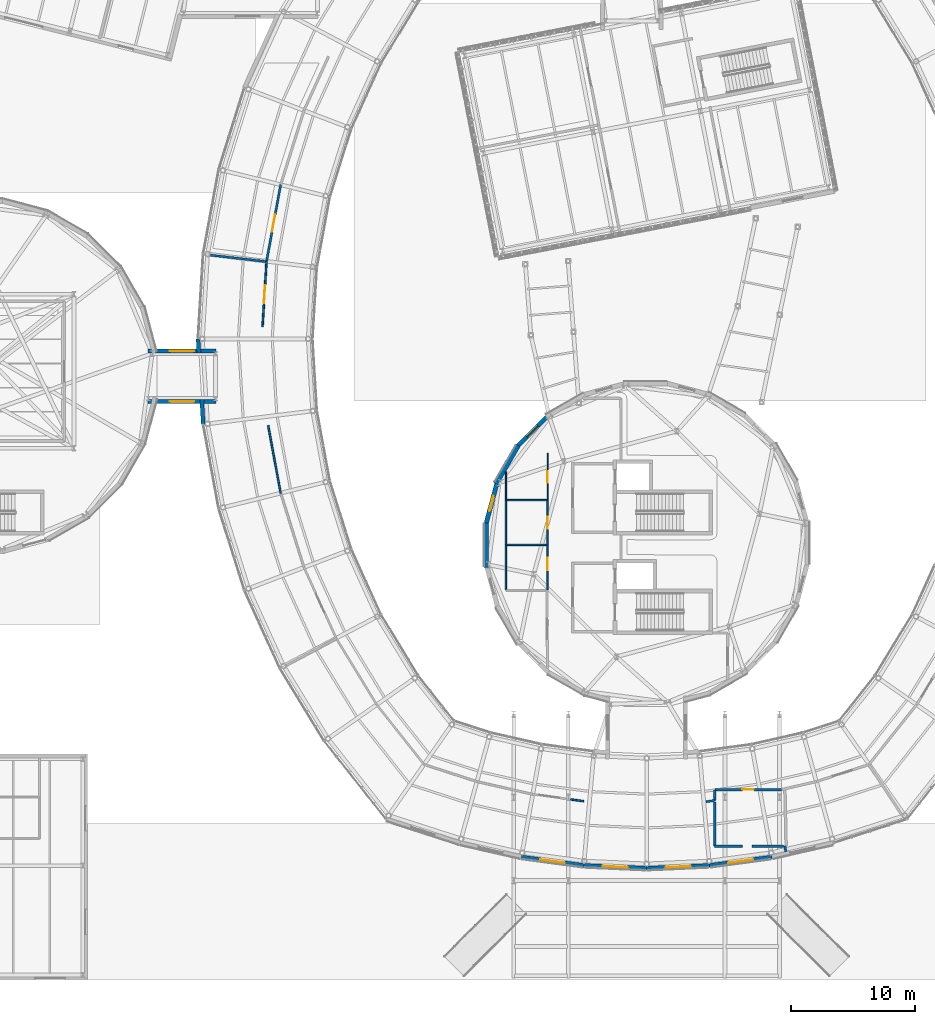
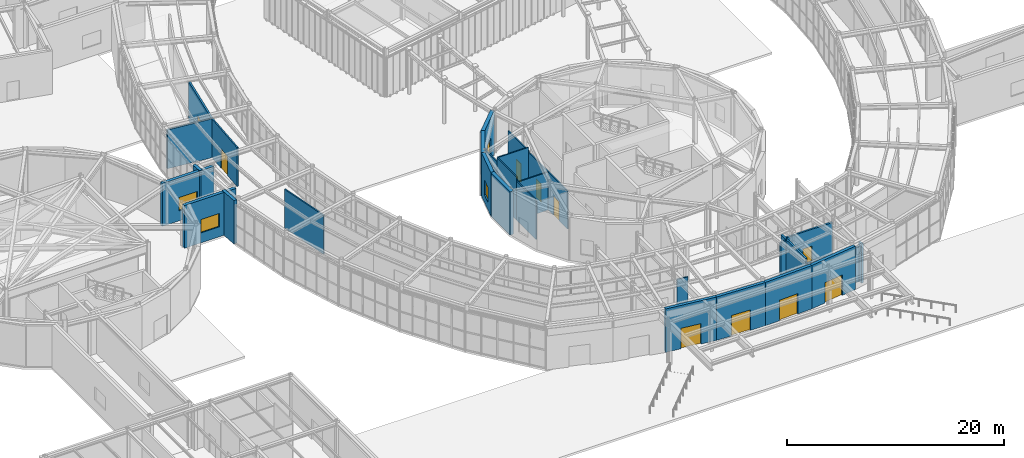
# One storey, part 71 of 97: 32 walls, 10 doors, 4 windows, 14 openings.
"""IFC4 building model written with IfcOpenShell, lengths in metres."""

import ifcopenshell
import ifcopenshell.guid

model = None  # the IFC model being written
_history = None  # IfcOwnerHistory: only IFC2X3 demands one
_inside = {}  # id of a spatial element -> (the spatial element, [elements in it])
_under = {}  # id of a project, library or spatial element -> (it, [spatial elements below it])
_declared = {}  # id of a project -> (the project, [libraries it declares])
_typed = {}  # id of a type object -> (the type object, [elements of that type])
_made_of = {}  # id of a material, layer set ... -> (it, [elements and type objects made of it])


def new_model(schema):
    """Start an empty IFC model of exactly this schema.

    Asked for "IFC4X3", IfcOpenShell would pick the latest addendum, in which some entities
    have other attributes; the version numbers below select the first issue.
    IFC2X3 requires an IfcOwnerHistory on every rooted entity: one is made here for all.
    """
    global model, _history
    if schema == "IFC4X3":
        model = ifcopenshell.file(schema_version=(4, 3, 0, 0))
    else:
        model = ifcopenshell.file(schema=schema)
    _inside.clear()
    _under.clear()
    _declared.clear()
    _typed.clear()
    _made_of.clear()
    _history = None
    if model.schema == "IFC2X3":
        org = make("IfcOrganization", Name="unknown")
        user = make(
            "IfcPersonAndOrganization",
            ThePerson=make("IfcPerson", FamilyName="unknown"),
            TheOrganization=org,
        )
        app = make(
            "IfcApplication",
            ApplicationDeveloper=org,
            Version="unknown",
            ApplicationFullName="unknown",
            ApplicationIdentifier="unknown",
        )
        _history = make(
            "IfcOwnerHistory",
            OwningUser=user,
            OwningApplication=app,
            ChangeAction="ADDED",
            CreationDate=0,
        )
    return model


def make(cls, **values):
    """One entity of the class cls with the attributes given. An attribute that is None is left unset."""
    return model.create_entity(
        cls, **{name: value for name, value in values.items() if value is not None}
    )


def rooted(cls, **values):
    """An entity with a GlobalId (a new one), such as an element, a storey or a relation."""
    return make(cls, GlobalId=ifcopenshell.guid.new(), OwnerHistory=_history, **values)


def si_unit(unit_type, name, prefix=None):
    """IfcSIUnit, for example si_unit("LENGTHUNIT", "METRE", prefix="MILLI")."""
    return make("IfcSIUnit", UnitType=unit_type, Prefix=prefix, Name=name)


def assignment(units):
    """IfcUnitAssignment: the units of a project."""
    return None if units is None else make("IfcUnitAssignment", Units=units)


def point(xyz):
    """IfcCartesianPoint."""
    return None if xyz is None else make("IfcCartesianPoint", Coordinates=xyz)


def direction(xyz):
    """IfcDirection."""
    return None if xyz is None else make("IfcDirection", DirectionRatios=xyz)


def frame(location, z_axis=None, x_axis=None):
    """IfcAxis2Placement3D, a coordinate frame: its origin and axes. An axis left out is left unset."""
    return make(
        "IfcAxis2Placement3D",
        Location=point(location),
        Axis=direction(z_axis),
        RefDirection=direction(x_axis),
    )


def frame_2d(location, x_axis=None):
    """IfcAxis2Placement2D, a coordinate frame in the plane: its origin and x axis."""
    return make(
        "IfcAxis2Placement2D", Location=point(location), RefDirection=direction(x_axis)
    )


def origin():
    """The frame at (0, 0, 0) with its axes left unset."""
    return frame((0.0, 0.0, 0.0))


def place(relative_to, where):
    """IfcLocalPlacement: puts the frame where relative to a parent placement (None: the world)."""
    return make(
        "IfcLocalPlacement", PlacementRelTo=relative_to, RelativePlacement=where
    )


def context(
    kind, dimensions, precision=None, world=None, true_north=None, identifier=None
):
    """IfcGeometricRepresentationContext, for example the 3D "Model" context."""
    return make(
        "IfcGeometricRepresentationContext",
        ContextIdentifier=identifier,
        ContextType=kind,
        CoordinateSpaceDimension=dimensions,
        Precision=precision,
        WorldCoordinateSystem=world,
        TrueNorth=true_north,
    )


def subcontext(parent, identifier, kind, view, scale=None):
    """IfcGeometricRepresentationSubContext, for example "Body" below "Model"."""
    return make(
        "IfcGeometricRepresentationSubContext",
        ContextIdentifier=identifier,
        ContextType=kind,
        ParentContext=parent,
        TargetScale=scale,
        TargetView=view,
    )


def project(units=None, contexts=None):
    """IfcProject with its units and contexts."""
    return rooted(
        "IfcProject",
        Name="project",
        RepresentationContexts=contexts,
        UnitsInContext=assignment(units),
    )


def spatial(cls, under=None, at=None, **own):
    """A site, building, storey or space (cls), placed at a placement, below another one or the project."""
    s = rooted(cls, ObjectPlacement=at, **own)
    if under is not None:
        _under.setdefault(under.id(), (under, []))[1].append(s)
    return s


def profile(cls, at=None, kind="AREA", **sizes):
    """A parametric profile (cls). Its sizes go by their IFC names, for example OverallWidth=200.0."""
    return make(cls, ProfileType=kind, Position=at, **sizes)


def rectangle(**sizes):
    """IfcRectangleProfileDef."""
    return profile("IfcRectangleProfileDef", **sizes)


def extrude(swept, where, along, depth):
    """IfcExtrudedAreaSolid: the profile swept, set in the frame where, extruded along a direction by depth."""
    return make(
        "IfcExtrudedAreaSolid",
        SweptArea=swept,
        Position=where,
        ExtrudedDirection=direction(along),
        Depth=depth,
    )


def shape(context_of_items, identifier, shape_type, items):
    """IfcShapeRepresentation: the items that make up one representation, for example the "Body"."""
    return make(
        "IfcShapeRepresentation",
        ContextOfItems=context_of_items,
        RepresentationIdentifier=identifier,
        RepresentationType=shape_type,
        Items=items,
    )


def material(Name=None, Category=None):
    """IfcMaterial."""
    return make("IfcMaterial", Name=Name, Category=Category)


def layer(
    of_material, thickness, ventilated=None, Name=None, Category=None, Priority=None
):
    """IfcMaterialLayer: one layer of a wall or slab, of a material (None: an air gap)."""
    return make(
        "IfcMaterialLayer",
        Material=of_material,
        LayerThickness=thickness,
        IsVentilated=ventilated,
        Name=Name,
        Category=Category,
        Priority=Priority,
    )


def layer_set(layers, Name=None):
    """IfcMaterialLayerSet."""
    return make("IfcMaterialLayerSet", MaterialLayers=layers, LayerSetName=Name)


def made_of(thing, what):
    """Note that an element or type object is made of a material, layer set ...; save() writes the relation."""
    if what is not None:
        _made_of.setdefault(what.id(), (what, []))[1].append(thing)
    return thing


def type_object(cls, material=None, **own):
    """A type object (cls), such as IfcWallType, which elements share."""
    return made_of(rooted(cls, **own), material)


def element(
    cls,
    number,
    at=None,
    inside=None,
    cuts=None,
    type_object=None,
    material=None,
    context=None,
    identifier="Body",
    shape_type=None,
    held_by="IfcProductDefinitionShape",
    body=None,
    shapes=None,
    **own,
):
    """One element of the class cls, such as IfcWall. Its Tag is "e" and its number.

    at: its placement. inside: the storey or other place that contains it. cuts: it is an
    opening in that element (IfcRelVoidsElement). A single representation is given by context,
    identifier, shape_type and body (its items); several are given by shapes. held_by: the class
    of the entity that holds the representations. save() writes the other relations.
    """
    e = rooted(cls, Tag="e%d" % number, ObjectPlacement=at, **own)
    if body is not None:
        shapes = [shape(context, identifier, shape_type, body)]
    if shapes is not None:
        e.Representation = make(held_by, Representations=shapes)
    if inside is not None:
        _inside.setdefault(inside.id(), (inside, []))[1].append(e)
    if cuts is not None:
        rooted(
            "IfcRelVoidsElement", RelatingBuildingElement=cuts, RelatedOpeningElement=e
        )
    if type_object is not None:
        _typed.setdefault(type_object.id(), (type_object, []))[1].append(e)
    return made_of(e, material)


def fill(opening, filler):
    """IfcRelFillsElement: the door or window that sits in an opening."""
    return rooted(
        "IfcRelFillsElement",
        RelatingOpeningElement=opening,
        RelatedBuildingElement=filler,
    )


def aggregate(whole, parts):
    """IfcRelAggregates: a whole, such as a stair, and the parts it consists of."""
    return rooted("IfcRelAggregates", RelatingObject=whole, RelatedObjects=parts)


def save(model, path):
    """Write the relations noted so far, then the file.

    IfcRelAggregates (storeys below a building ...), IfcRelContainedInSpatialStructure (elements
    in a storey), IfcRelDefinesByType, IfcRelAssociatesMaterial and IfcRelDeclares: one each for
    every whole, place, type object, material and project.
    """
    for whole, parts in _under.values():
        aggregate(whole, parts)
    for where, things in _inside.values():
        rooted(
            "IfcRelContainedInSpatialStructure",
            RelatedElements=things,
            RelatingStructure=where,
        )
    for kind, things in _typed.values():
        rooted("IfcRelDefinesByType", RelatedObjects=things, RelatingType=kind)
    for what, things in _made_of.values():
        rooted("IfcRelAssociatesMaterial", RelatedObjects=things, RelatingMaterial=what)
    for by, libraries in _declared.values():
        rooted("IfcRelDeclares", RelatingContext=by, RelatedDefinitions=libraries)
    model.write(path)


model = new_model("IFC4")

# Units and contexts
model_context = context("Model", 3, precision=1e-05, world=origin(), true_north=direction((0.0, 1.0)))
body_context = subcontext(model_context, "Body", "Model", "MODEL_VIEW")
ifc_project = project(units=[si_unit("LENGTHUNIT", "METRE"), si_unit("AREAUNIT", "SQUARE_METRE"), si_unit("VOLUMEUNIT", "CUBIC_METRE"), si_unit("PLANEANGLEUNIT", "RADIAN"), si_unit("MASSUNIT", "GRAM", prefix="KILO")], contexts=[model_context])

# Site, building, storey
site_placement = place(None, origin())
site = spatial("IfcSite", under=ifc_project, at=site_placement, CompositionType="ELEMENT")
building_placement = place(site_placement, origin())
building = spatial("IfcBuilding", under=site, at=building_placement, Name="Varnklinge Art Gallery", CompositionType="ELEMENT")
storey_placement = place(building_placement, origin())
storey = spatial("IfcBuildingStorey", under=building, at=storey_placement, Name="L00", CompositionType="ELEMENT", Elevation=0.0)

# Walls
ifc_material_1 = material(Name="Precast concrete C40/50", Category="concrete")
ifc_layer_1 = layer(ifc_material_1, 0.320068359375)
ifc_layer_set_1 = layer_set([ifc_layer_1], Name="Precast concrete C40/50")
wall_type_1 = type_object("IfcWallType", Name="EW-32", PredefinedType="SOLIDWALL", material=ifc_layer_set_1)
wall_1_placement = place(storey_placement, frame((39.459716796875, 53.8798828125, 0.0), z_axis=(0.0, 0.0, 1.0), x_axis=(-0.060698683883, 0.998156134968, 0.0)))
element("IfcWall", 1, at=wall_1_placement, inside=storey, type_object=wall_type_1, Name="EW-V2O-L00-K26-1", PredefinedType="SOLIDWALL", context=body_context, shape_type="SweptSolid", body=[
    extrude(rectangle(XDim=1.1220703125, YDim=0.320068359375, at=frame_2d((0.56103515625, 0.0))), origin(), (0.0, 0.0, 1.0), 4.8798828125),
])
wall_2_placement = place(storey_placement, frame((39.810546875, 48.1240234375, 0.0), z_axis=(0.0, 0.0, 1.0), x_axis=(-0.060797305058, 0.998150132845, 0.0)))
element("IfcWall", 2, at=wall_2_placement, inside=storey, type_object=wall_type_1, Name="EW-V2O-L00-K26-2", PredefinedType="SOLIDWALL", context=body_context, shape_type="SweptSolid", body=[
    extrude(rectangle(XDim=1.999755859375, YDim=0.320068359375, at=frame_2d((1.0, 0.0))), origin(), (0.0, 0.0, 1.0), 4.8798828125),
])

# Wall, opening, door
wall_3_placement = place(storey_placement, frame((70.4384765625, 12.6220703125, 0.0), z_axis=(0.0, 0.0, 1.0), x_axis=(-0.990993640205, 0.133908943214, 0.0)))
wall_3 = element("IfcWall", 3, at=wall_3_placement, inside=storey, type_object=wall_type_1, Name="L00 Grand Foyer Entrance Portal Wall 34", PredefinedType="SOLIDWALL", context=body_context, shape_type="SweptSolid", body=[
    extrude(rectangle(XDim=5.066650390625, YDim=0.320068359375, at=frame_2d((2.533203125, 0.0))), origin(), (0.0, 0.0, 1.0), 4.8798828125),
])
opening_1_placement = place(wall_3_placement, frame((1.533203125, 0.0, 0.0)))
opening_1 = element("IfcOpeningElement", 4, at=opening_1_placement, cuts=wall_3, Name="Opening D-L00-E09", PredefinedType="OPENING", context=body_context, shape_type="SweptSolid", body=[
    extrude(rectangle(XDim=2.0, YDim=2.300048828125, at=frame_2d((1.0, 1.14990234375))), frame((0.0, 0.170166015625, 0.0), z_axis=(0.0, -1.0, 0.0), x_axis=(1.0, 0.0, 0.0)), (0.0, 0.0, 1.0), 0.340087890625),
])
ifc_material_2 = material(Name="Anodised Aluminium", Category="aluminium")
door_type_1 = type_object("IfcDoorType", Name="ED-01", OperationType="DOUBLE_DOOR_SINGLE_SWING", PredefinedType="DOOR", material=ifc_material_2)
door_1_placement = place(opening_1_placement, origin())
door_1 = element("IfcDoor", 5, at=door_1_placement, inside=storey, type_object=door_type_1, Name="L00 Grand Foyer Main Entrance Door D-L00-E09", OperationType="DOUBLE_DOOR_SINGLE_SWING", OverallHeight=2.300048828125, OverallWidth=2.0, PredefinedType="DOOR", context=body_context, shape_type="SweptSolid", body=[
    extrude(rectangle(XDim=2.0, YDim=2.300048828125, at=frame_2d((1.0, 1.14990234375))), frame((0.0, 0.02490234375, 0.0), z_axis=(0.0, -1.0, 0.0), x_axis=(1.0, 0.0, 0.0)), (0.0, 0.0, 1.0), 0.050048828125),
])
fill(opening_1, door_1)

wall_4_placement = place(storey_placement, frame((75.5, 12.3955078125, 0.0), z_axis=(0.0, 0.0, 1.0), x_axis=(-0.998999697079, 0.044716945731, 0.0)))
wall_4 = element("IfcWall", 6, at=wall_4_placement, inside=storey, type_object=wall_type_1, Name="L00 Grand Foyer Entrance Portal Wall 35", PredefinedType="SOLIDWALL", context=body_context, shape_type="SweptSolid", body=[
    extrude(rectangle(XDim=5.066650390625, YDim=0.320068359375, at=frame_2d((2.533203125, 0.0))), origin(), (0.0, 0.0, 1.0), 4.8798828125),
])
opening_2_placement = place(wall_4_placement, frame((1.533203125, 0.0, 0.0)))
opening_2 = element("IfcOpeningElement", 7, at=opening_2_placement, cuts=wall_4, Name="Opening D-L00-E10", PredefinedType="OPENING", context=body_context, shape_type="SweptSolid", body=[
    extrude(rectangle(XDim=2.0, YDim=2.300048828125, at=frame_2d((1.0, 1.14990234375))), frame((0.0, 0.170166015625, 0.0), z_axis=(0.0, -1.0, 0.0), x_axis=(1.0, 0.0, 0.0)), (0.0, 0.0, 1.0), 0.340087890625),
])
door_2_placement = place(opening_2_placement, origin())
door_2 = element("IfcDoor", 8, at=door_2_placement, inside=storey, type_object=door_type_1, Name="L00 Grand Foyer Main Entrance Door D-L00-E10", OperationType="DOUBLE_DOOR_SINGLE_SWING", OverallHeight=2.300048828125, OverallWidth=2.0, PredefinedType="DOOR", context=body_context, shape_type="SweptSolid", body=[
    extrude(rectangle(XDim=2.0, YDim=2.300048828125, at=frame_2d((1.0, 1.14990234375))), frame((0.0, 0.02490234375, 0.0), z_axis=(0.0, -1.0, 0.0), x_axis=(1.0, 0.0, 0.0)), (0.0, 0.0, 1.0), 0.050048828125),
])
fill(opening_2, door_2)

wall_5_placement = place(storey_placement, frame((80.5615234375, 12.6220703125, 0.0), z_axis=(0.0, 0.0, 1.0), x_axis=(-0.998999697079, -0.044716945731, 0.0)))
wall_5 = element("IfcWall", 9, at=wall_5_placement, inside=storey, type_object=wall_type_1, Name="L00 Grand Foyer Entrance Portal Wall 36", PredefinedType="SOLIDWALL", context=body_context, shape_type="SweptSolid", body=[
    extrude(rectangle(XDim=5.066650390625, YDim=0.320068359375, at=frame_2d((2.533203125, 0.0))), origin(), (0.0, 0.0, 1.0), 4.8798828125),
])
opening_3_placement = place(wall_5_placement, frame((1.533203125, 0.0, 0.0)))
opening_3 = element("IfcOpeningElement", 10, at=opening_3_placement, cuts=wall_5, Name="Opening D-L00-E11", PredefinedType="OPENING", context=body_context, shape_type="SweptSolid", body=[
    extrude(rectangle(XDim=2.0, YDim=2.300048828125, at=frame_2d((1.0, 1.14990234375))), frame((0.0, 0.170166015625, 0.0), z_axis=(0.0, -1.0, 0.0), x_axis=(1.0, 0.0, 0.0)), (0.0, 0.0, 1.0), 0.340087890625),
])
door_3_placement = place(opening_3_placement, origin())
door_3 = element("IfcDoor", 11, at=door_3_placement, inside=storey, type_object=door_type_1, Name="L00 Grand Foyer Main Entrance Door D-L00-E11", OperationType="DOUBLE_DOOR_SINGLE_SWING", OverallHeight=2.300048828125, OverallWidth=2.0, PredefinedType="DOOR", context=body_context, shape_type="SweptSolid", body=[
    extrude(rectangle(XDim=2.0, YDim=2.300048828125, at=frame_2d((1.0, 1.14990234375))), frame((0.0, 0.02490234375, 0.0), z_axis=(0.0, -1.0, 0.0), x_axis=(1.0, 0.0, 0.0)), (0.0, 0.0, 1.0), 0.050048828125),
])
fill(opening_3, door_3)

wall_6_placement = place(storey_placement, frame((85.58251953125, 13.300537109375, 0.0), z_axis=(0.0, 0.0, 1.0), x_axis=(-0.990993640205, -0.133908943214, 0.0)))
wall_6 = element("IfcWall", 12, at=wall_6_placement, inside=storey, type_object=wall_type_1, Name="L00 Grand Foyer Entrance Portal Wall 37", PredefinedType="SOLIDWALL", context=body_context, shape_type="SweptSolid", body=[
    extrude(rectangle(XDim=5.066650390625, YDim=0.320068359375, at=frame_2d((2.533203125, 0.0))), origin(), (0.0, 0.0, 1.0), 4.8798828125),
])
opening_4_placement = place(wall_6_placement, frame((1.533203125, 0.0, 0.0)))
opening_4 = element("IfcOpeningElement", 13, at=opening_4_placement, cuts=wall_6, Name="Opening D-L00-E12", PredefinedType="OPENING", context=body_context, shape_type="SweptSolid", body=[
    extrude(rectangle(XDim=2.0, YDim=2.300048828125, at=frame_2d((1.0, 1.14990234375))), frame((0.0, 0.170166015625, 0.0), z_axis=(0.0, -1.0, 0.0), x_axis=(1.0, 0.0, 0.0)), (0.0, 0.0, 1.0), 0.340087890625),
])
door_4_placement = place(opening_4_placement, origin())
door_4 = element("IfcDoor", 14, at=door_4_placement, inside=storey, type_object=door_type_1, Name="L00 Grand Foyer Main Entrance Door D-L00-E12", OperationType="DOUBLE_DOOR_SINGLE_SWING", OverallHeight=2.300048828125, OverallWidth=2.0, PredefinedType="DOOR", context=body_context, shape_type="SweptSolid", body=[
    extrude(rectangle(XDim=2.0, YDim=2.300048828125, at=frame_2d((1.0, 1.14990234375))), frame((0.0, 0.02490234375, 0.0), z_axis=(0.0, -1.0, 0.0), x_axis=(1.0, 0.0, 0.0)), (0.0, 0.0, 1.0), 0.050048828125),
])
fill(opening_4, door_4)

# Wall, opening, window
wall_7_placement = place(storey_placement, frame((40.85009765625, 49.9599609375, 0.0), z_axis=(0.0, 0.0, 1.0), x_axis=(-1.0, 0.0, 0.0)))
wall_7 = element("IfcWall", 15, at=wall_7_placement, inside=storey, type_object=wall_type_1, Name="L00 Gallery Link Wall EW-LNK-V3-L00-S", PredefinedType="SOLIDWALL", context=body_context, shape_type="SweptSolid", body=[
    extrude(rectangle(XDim=5.5, YDim=0.320068359375, at=frame_2d((2.75, 0.0))), origin(), (0.0, 0.0, 1.0), 4.820068359375),
])
opening_5_placement = place(wall_7_placement, frame((1.77490234375, 0.0, 1.1201171875)))
opening_5 = element("IfcOpeningElement", 16, at=opening_5_placement, cuts=wall_7, Name="Opening WN-05", PredefinedType="OPENING", context=body_context, shape_type="SweptSolid", body=[
    extrude(rectangle(XDim=1.949951171875, YDim=1.5, at=frame_2d((0.97509765625, 0.75))), frame((0.0, 0.170166015625, 0.0), z_axis=(0.0, -1.0, 0.0), x_axis=(1.0, 0.0, 0.0)), (0.0, 0.0, 1.0), 0.340087890625),
])
ifc_material_3 = material(Name="Insulated Low-E Triple Glazing", Category="glass")
window_type_1 = type_object("IfcWindowType", Name="WN-05", PartitioningType="SINGLE_PANEL", PredefinedType="WINDOW", material=ifc_material_3)
window_1_placement = place(opening_5_placement, origin())
window_1 = element("IfcWindow", 17, at=window_1_placement, inside=storey, type_object=window_type_1, Name="L00 Window WIN-L00-214", OverallHeight=1.5, OverallWidth=1.949951171875, PartitioningType="SINGLE_PANEL", PredefinedType="WINDOW", context=body_context, shape_type="SweptSolid", body=[
    extrude(rectangle(XDim=1.949951171875, YDim=1.5, at=frame_2d((0.97509765625, 0.75))), frame((0.0, 0.030029296875, 0.0), z_axis=(0.0, -1.0, 0.0), x_axis=(1.0, 0.0, 0.0)), (0.0, 0.0, 1.0), 0.06005859375),
])
fill(opening_5, window_1)

wall_8_placement = place(storey_placement, frame((35.35009765625, 54.0400390625, 0.0), z_axis=(0.0, 0.0, 1.0), x_axis=(1.0, 0.0, 0.0)))
wall_8 = element("IfcWall", 18, at=wall_8_placement, inside=storey, type_object=wall_type_1, Name="L00 Gallery Link Wall EW-LNK-V3-L00-N", PredefinedType="SOLIDWALL", context=body_context, shape_type="SweptSolid", body=[
    extrude(rectangle(XDim=5.5, YDim=0.320068359375, at=frame_2d((2.75, 0.0))), origin(), (0.0, 0.0, 1.0), 4.820068359375),
])
opening_6_placement = place(wall_8_placement, frame((1.77490234375, 0.0, 1.1201171875)))
opening_6 = element("IfcOpeningElement", 19, at=opening_6_placement, cuts=wall_8, Name="Opening WN-05", PredefinedType="OPENING", context=body_context, shape_type="SweptSolid", body=[
    extrude(rectangle(XDim=1.949951171875, YDim=1.5, at=frame_2d((0.97509765625, 0.75))), frame((0.0, 0.170166015625, 0.0), z_axis=(0.0, -1.0, 0.0), x_axis=(1.0, 0.0, 0.0)), (0.0, 0.0, 1.0), 0.340087890625),
])
window_2_placement = place(opening_6_placement, origin())
window_2 = element("IfcWindow", 20, at=window_2_placement, inside=storey, type_object=window_type_1, Name="L00 Window WIN-L00-215", OverallHeight=1.5, OverallWidth=1.949951171875, PartitioningType="SINGLE_PANEL", PredefinedType="WINDOW", context=body_context, shape_type="SweptSolid", body=[
    extrude(rectangle(XDim=1.949951171875, YDim=1.5, at=frame_2d((0.97509765625, 0.75))), frame((0.0, 0.030029296875, 0.0), z_axis=(0.0, -1.0, 0.0), x_axis=(1.0, 0.0, 0.0)), (0.0, 0.0, 1.0), 0.06005859375),
])
fill(opening_6, window_2)

# Wall
ifc_material_4 = material(Name="Concrete C40/50", Category="concrete")
ifc_layer_2 = layer(ifc_material_4, 0.360107421875)
ifc_layer_set_2 = layer_set([ifc_layer_2], Name="Concrete C40/50")
wall_type_2 = type_object("IfcWallType", Name="EW-36", PredefinedType="SOLIDWALL", material=ifc_layer_set_2)
wall_9_placement = place(storey_placement, frame((62.593017578125, 36.620849609375, 0.0), z_axis=(0.0, 0.0, 1.0), x_axis=(0.0, 1.0, 0.0)))
element("IfcWall", 21, at=wall_9_placement, inside=storey, type_object=wall_type_2, Name="L00 Exterior Wall EW-V4D-L00-12", PredefinedType="SOLIDWALL", context=body_context, shape_type="SweptSolid", body=[
    extrude(rectangle(XDim=3.578369140625, YDim=0.360107421875, at=frame_2d((1.7890625, 0.0))), origin(), (0.0, 0.0, 1.0), 4.8798828125),
])

# Wall, opening, window
wall_10_placement = place(storey_placement, frame((62.54638671875, 40.025390625, 0.0), z_axis=(0.0, 0.0, 1.0), x_axis=(0.258779281586, 0.965936480014, 0.0)))
wall_10 = element("IfcWall", 22, at=wall_10_placement, inside=storey, type_object=wall_type_2, Name="L00 Exterior Wall EW-V4D-L00-13", PredefinedType="SOLIDWALL", context=body_context, shape_type="SweptSolid", body=[
    extrude(rectangle(XDim=3.578369140625, YDim=0.360107421875, at=frame_2d((1.7890625, 0.0))), origin(), (0.0, 0.0, 1.0), 4.8798828125),
])
opening_7_placement = place(wall_10_placement, frame((1.164306640625, 0.0, 0.85009765625)))
opening_7 = element("IfcOpeningElement", 23, at=opening_7_placement, cuts=wall_10, Name="Opening WN-09", PredefinedType="OPENING", context=body_context, shape_type="SweptSolid", body=[
    extrude(rectangle(XDim=1.25, YDim=1.699951171875, at=frame_2d((0.625, 0.85009765625))), frame((0.0, 0.190185546875, 0.0), z_axis=(0.0, -1.0, 0.0), x_axis=(1.0, 0.0, 0.0)), (0.0, 0.0, 1.0), 0.380126953125),
])
ifc_material_5 = material(Name="Insulated Low-E Triple Glazing", Category="glass")
window_type_2 = type_object("IfcWindowType", Name="WN-09", PartitioningType="SINGLE_PANEL", PredefinedType="WINDOW", material=ifc_material_5)
window_3_placement = place(opening_7_placement, origin())
window_3 = element("IfcWindow", 24, at=window_3_placement, inside=storey, type_object=window_type_2, Name="L00 Window WIN-L00-070", OverallHeight=1.699951171875, OverallWidth=1.25, PartitioningType="SINGLE_PANEL", PredefinedType="WINDOW", context=body_context, shape_type="SweptSolid", body=[
    extrude(rectangle(XDim=1.25, YDim=1.699951171875, at=frame_2d((0.625, 0.85009765625))), frame((0.0, 0.030029296875, 0.0), z_axis=(0.0, -1.0, 0.0), x_axis=(1.0, 0.0, 0.0)), (0.0, 0.0, 1.0), 0.06005859375),
])
fill(opening_7, window_3)

# Wall
wall_11_placement = place(storey_placement, frame((63.382568359375, 43.325927734375, 0.0), z_axis=(0.0, 0.0, 1.0), x_axis=(0.499925210571, 0.866068579176, 0.0)))
element("IfcWall", 25, at=wall_11_placement, inside=storey, type_object=wall_type_2, Name="L00 Exterior Wall EW-V4D-L00-14", PredefinedType="SOLIDWALL", context=body_context, shape_type="SweptSolid", body=[
    extrude(rectangle(XDim=3.57861328125, YDim=0.360107421875, at=frame_2d((1.789306640625, 0.0))), origin(), (0.0, 0.0, 1.0), 4.8798828125),
])

# Wall, opening, window
wall_12_placement = place(storey_placement, frame((65.04443359375, 46.2978515625, 0.0), z_axis=(0.0, 0.0, 1.0), x_axis=(0.707072668406, 0.707140892322, 0.0)))
wall_12 = element("IfcWall", 26, at=wall_12_placement, inside=storey, type_object=wall_type_2, Name="L00 Exterior Wall EW-V4D-L00-15", PredefinedType="SOLIDWALL", context=body_context, shape_type="SweptSolid", body=[
    extrude(rectangle(XDim=3.57861328125, YDim=0.360107421875, at=frame_2d((1.789306640625, 0.0))), origin(), (0.0, 0.0, 1.0), 4.8798828125),
])
opening_8_placement = place(wall_12_placement, frame((1.164306640625, 0.0, 0.85009765625)))
opening_8 = element("IfcOpeningElement", 27, at=opening_8_placement, cuts=wall_12, Name="Opening WN-09", PredefinedType="OPENING", context=body_context, shape_type="SweptSolid", body=[
    extrude(rectangle(XDim=1.25, YDim=1.699951171875, at=frame_2d((0.625, 0.85009765625))), frame((0.0, 0.190185546875, 0.0), z_axis=(0.0, -1.0, 0.0), x_axis=(1.0, 0.0, 0.0)), (0.0, 0.0, 1.0), 0.380126953125),
])
window_4_placement = place(opening_8_placement, origin())
window_4 = element("IfcWindow", 28, at=window_4_placement, inside=storey, type_object=window_type_2, Name="L00 Window WIN-L00-071", OverallHeight=1.699951171875, OverallWidth=1.25, PartitioningType="SINGLE_PANEL", PredefinedType="WINDOW", context=body_context, shape_type="SweptSolid", body=[
    extrude(rectangle(XDim=1.25, YDim=1.699951171875, at=frame_2d((0.625, 0.85009765625))), frame((0.0, 0.030029296875, 0.0), z_axis=(0.0, -1.0, 0.0), x_axis=(1.0, 0.0, 0.0)), (0.0, 0.0, 1.0), 0.06005859375),
])
fill(opening_8, window_4)

# Wall, opening, door
ifc_material_6 = material(Name="Gypsum Board Partition", Category="gypsum")
ifc_layer_3 = layer(ifc_material_6, 0.10009765625)
ifc_layer_set_3 = layer_set([ifc_layer_3], Name="Gypsum Board Partition")
wall_type_3 = type_object("IfcWallType", Name="IW-10", PredefinedType="PARTITIONING", material=ifc_layer_set_3)
wall_13_placement = place(storey_placement, frame((67.530029296875, 45.800048828125, 0.0), z_axis=(0.0, 0.0, 1.0), x_axis=(0.0, -1.0, 0.0)))
wall_13 = element("IfcWall", 29, at=wall_13_placement, inside=storey, type_object=wall_type_3, Name="L00 Partition Wall IW-L00-0098", PredefinedType="PARTITIONING", context=body_context, shape_type="SweptSolid", body=[
    extrude(rectangle(XDim=3.800048828125, YDim=0.10009765625, at=frame_2d((1.89990234375, 0.0))), origin(), (0.0, 0.0, 1.0), 4.419921875),
])
opening_9_placement = place(wall_13_placement, frame((1.43994140625, 0.0, 0.0)))
opening_9 = element("IfcOpeningElement", 30, at=opening_9_placement, cuts=wall_13, Name="Opening D-L00-158", PredefinedType="OPENING", context=body_context, shape_type="SweptSolid", body=[
    extrude(rectangle(XDim=0.919921875, YDim=2.080078125, at=frame_2d((0.4599609375, 1.0400390625))), frame((0.0, 0.06005859375, 0.0), z_axis=(0.0, -1.0, 0.0), x_axis=(1.0, 0.0, 0.0)), (0.0, 0.0, 1.0), 0.1201171875),
])
ifc_material_7 = material(Name="Oak Timber Leaf", Category="wood")
door_type_2 = type_object("IfcDoorType", Name="ID-01", OperationType="SINGLE_SWING_LEFT", PredefinedType="DOOR", material=ifc_material_7)
door_5_placement = place(opening_9_placement, origin())
door_5 = element("IfcDoor", 31, at=door_5_placement, inside=storey, type_object=door_type_2, Name="L00 L00 Curatorial Conservation Closet Door D-L00-158", OperationType="SINGLE_SWING_RIGHT", OverallHeight=2.080078125, OverallWidth=0.919921875, PredefinedType="DOOR", context=body_context, shape_type="SweptSolid", body=[
    extrude(rectangle(XDim=0.919921875, YDim=2.080078125, at=frame_2d((0.4599609375, 1.0400390625))), frame((0.0, 0.02490234375, 0.0), z_axis=(0.0, -1.0, 0.0), x_axis=(1.0, 0.0, 0.0)), (0.0, 0.0, 1.0), 0.050048828125),
])
fill(opening_9, door_5)

# Wall
wall_14_placement = place(storey_placement, frame((64.169921875, 42.0, 0.0), z_axis=(0.0, 0.0, 1.0), x_axis=(0.0, 1.0, 0.0)))
element("IfcWall", 32, at=wall_14_placement, inside=storey, type_object=wall_type_3, Name="L00 Partition Wall IW-L00-0148", PredefinedType="PARTITIONING", context=body_context, shape_type="SweptSolid", body=[
    extrude(rectangle(XDim=2.322021484375, YDim=0.10009765625, at=frame_2d((1.1611328125, 0.0))), origin(), (0.0, 0.0, 1.0), 4.419921875),
])

# Wall, opening, door
ifc_material_8 = material(Name="Gypsum Board Partition", Category="gypsum")
ifc_layer_4 = layer(ifc_material_8, 0.1201171875)
ifc_layer_set_4 = layer_set([ifc_layer_4], Name="Gypsum Board Partition")
wall_type_4 = type_object("IfcWallType", Name="IW-12", PredefinedType="PARTITIONING", material=ifc_layer_set_4)
wall_15_placement = place(storey_placement, frame((67.530029296875, 38.39990234375, 0.0), z_axis=(0.0, 0.0, 1.0), x_axis=(0.0, -1.0, 0.0)))
wall_15 = element("IfcWall", 33, at=wall_15_placement, inside=storey, type_object=wall_type_4, Name="L00 Partition Wall IW-L00-0096", PredefinedType="PARTITIONING", context=body_context, shape_type="SweptSolid", body=[
    extrude(rectangle(XDim=3.599853515625, YDim=0.1201171875, at=frame_2d((1.7998046875, 0.0))), origin(), (0.0, 0.0, 1.0), 4.27001953125),
])
opening_10_placement = place(wall_15_placement, frame((1.001953125, 0.0, 0.0)))
opening_10 = element("IfcOpeningElement", 34, at=opening_10_placement, cuts=wall_15, Name="Opening D-L00-156", PredefinedType="OPENING", context=body_context, shape_type="SweptSolid", body=[
    extrude(rectangle(XDim=1.02001953125, YDim=2.1201171875, at=frame_2d((0.510009765625, 1.06005859375))), frame((0.0, 0.070068359375, 0.0), z_axis=(0.0, -1.0, 0.0), x_axis=(1.0, 0.0, 0.0)), (0.0, 0.0, 1.0), 0.14013671875),
])
ifc_material_9 = material(Name="Oak Timber Leaf", Category="wood")
door_type_3 = type_object("IfcDoorType", Name="ID-03", OperationType="SINGLE_SWING_LEFT", PredefinedType="DOOR", material=ifc_material_9)
door_6_placement = place(opening_10_placement, origin())
door_6 = element("IfcDoor", 35, at=door_6_placement, inside=storey, type_object=door_type_3, Name="L00 L00 Accessible WC Central Door D-L00-156", OperationType="SINGLE_SWING_RIGHT", OverallHeight=2.1201171875, OverallWidth=1.02001953125, PredefinedType="DOOR", context=body_context, shape_type="SweptSolid", body=[
    extrude(rectangle(XDim=1.02001953125, YDim=2.1201171875, at=frame_2d((0.510009765625, 1.06005859375))), frame((0.0, 0.02490234375, 0.0), z_axis=(0.0, -1.0, 0.0), x_axis=(1.0, 0.0, 0.0)), (0.0, 0.0, 1.0), 0.050048828125),
])
fill(opening_10, door_6)

wall_16_placement = place(storey_placement, frame((67.530029296875, 42.0, 0.0), z_axis=(0.0, 0.0, 1.0), x_axis=(0.0, -1.0, 0.0)))
wall_16 = element("IfcWall", 36, at=wall_16_placement, inside=storey, type_object=wall_type_4, Name="L00 Partition Wall IW-L00-0097", PredefinedType="PARTITIONING", context=body_context, shape_type="SweptSolid", body=[
    extrude(rectangle(XDim=3.60009765625, YDim=0.1201171875, at=frame_2d((1.800048828125, 0.0))), origin(), (0.0, 0.0, 1.0), 4.27001953125),
])
opening_11_placement = place(wall_16_placement, frame((1.320068359375, 0.0, 0.0)))
opening_11 = element("IfcOpeningElement", 37, at=opening_11_placement, cuts=wall_16, Name="Opening D-L00-157", PredefinedType="OPENING", context=body_context, shape_type="SweptSolid", body=[
    extrude(rectangle(XDim=0.9599609375, YDim=2.10009765625, at=frame_2d((0.47998046875, 1.050048828125))), frame((0.0, 0.070068359375, 0.0), z_axis=(0.0, -1.0, 0.0), x_axis=(1.0, 0.0, 0.0)), (0.0, 0.0, 1.0), 0.14013671875),
])
ifc_material_10 = material(Name="Oak Timber Leaf", Category="wood")
door_type_4 = type_object("IfcDoorType", Name="ID-02", OperationType="SINGLE_SWING_RIGHT", PredefinedType="DOOR", material=ifc_material_10)
door_7_placement = place(opening_11_placement, origin())
door_7 = element("IfcDoor", 38, at=door_7_placement, inside=storey, type_object=door_type_4, Name="L00 L00 Public Restroom Central Door D-L00-157", OperationType="SINGLE_SWING_LEFT", OverallHeight=2.10009765625, OverallWidth=0.9599609375, PredefinedType="DOOR", context=body_context, shape_type="SweptSolid", body=[
    extrude(rectangle(XDim=0.9599609375, YDim=2.10009765625, at=frame_2d((0.47998046875, 1.050048828125))), frame((0.0, 0.02490234375, 0.0), z_axis=(0.0, -1.0, 0.0), x_axis=(1.0, 0.0, 0.0)), (0.0, 0.0, 1.0), 0.050048828125),
])
fill(opening_11, door_7)

# Walls
wall_17_placement = place(storey_placement, frame((64.199951171875, 38.429931640625, 0.0), z_axis=(0.0, 0.0, 1.0), x_axis=(1.0, 0.0, 0.0)))
element("IfcWall", 39, at=wall_17_placement, inside=storey, type_object=wall_type_4, Name="L00 Partition Wall IW-L00-0143", PredefinedType="PARTITIONING", context=body_context, shape_type="SweptSolid", body=[
    extrude(rectangle(XDim=3.255126953125, YDim=0.1201171875, at=frame_2d((1.62744140625, 0.0))), origin(), (0.0, 0.0, 1.0), 4.27001953125),
])
wall_18_placement = place(storey_placement, frame((64.169921875, 34.800048828125, 0.0), z_axis=(0.0, 0.0, 1.0), x_axis=(0.0, 1.0, 0.0)))
element("IfcWall", 40, at=wall_18_placement, inside=storey, type_object=wall_type_4, Name="L00 Partition Wall IW-L00-0144", PredefinedType="PARTITIONING", context=body_context, shape_type="SweptSolid", body=[
    extrude(rectangle(XDim=3.599853515625, YDim=0.1201171875, at=frame_2d((1.7998046875, 0.0))), origin(), (0.0, 0.0, 1.0), 4.419921875),
])
wall_19_placement = place(storey_placement, frame((64.199951171875, 42.030029296875, 0.0), z_axis=(0.0, 0.0, 1.0), x_axis=(1.0, 0.0, 0.0)))
element("IfcWall", 41, at=wall_19_placement, inside=storey, type_object=wall_type_4, Name="L00 Partition Wall IW-L00-0146", PredefinedType="PARTITIONING", context=body_context, shape_type="SweptSolid", body=[
    extrude(rectangle(XDim=3.26513671875, YDim=0.1201171875, at=frame_2d((1.632568359375, 0.0))), origin(), (0.0, 0.0, 1.0), 4.8701171875),
])
wall_20_placement = place(storey_placement, frame((64.169921875, 38.39990234375, 0.0), z_axis=(0.0, 0.0, 1.0), x_axis=(0.0, 1.0, 0.0)))
element("IfcWall", 42, at=wall_20_placement, inside=storey, type_object=wall_type_4, Name="L00 Partition Wall IW-L00-0147", PredefinedType="PARTITIONING", context=body_context, shape_type="SweptSolid", body=[
    extrude(rectangle(XDim=3.60009765625, YDim=0.1201171875, at=frame_2d((1.800048828125, 0.0))), origin(), (0.0, 0.0, 1.0), 4.8701171875),
])
ifc_material_11 = material(Name="Gypsum Board Partition", Category="gypsum")
ifc_layer_5 = layer(ifc_material_11, 0.139892578125)
ifc_layer_set_5 = layer_set([ifc_layer_5], Name="Gypsum Board Partition")
wall_type_5 = type_object("IfcWallType", Name="IW-14", PredefinedType="PARTITIONING", material=ifc_layer_set_5)
wall_21_placement = place(storey_placement, frame((46.04248046875, 42.58544921875, 0.0), z_axis=(0.0, 0.0, 1.0), x_axis=(-0.181670810404, 0.983359403599, 0.0)))
element("IfcWall", 43, at=wall_21_placement, inside=storey, type_object=wall_type_5, Name="L00 Partition Wall IW-L00-0081", PredefinedType="PARTITIONING", context=body_context, shape_type="SweptSolid", body=[
    extrude(rectangle(XDim=5.53662109375, YDim=0.139892578125, at=frame_2d((2.768310546875, 0.0))), origin(), (0.0, 0.0, 1.0), 4.3701171875),
])

# Wall, opening, door
wall_22_placement = place(storey_placement, frame((44.58203125, 55.969970703125, 0.0), z_axis=(0.0, 0.0, 1.0), x_axis=(0.060821422168, 0.998148663579, 0.0)))
wall_22 = element("IfcWall", 44, at=wall_22_placement, inside=storey, type_object=wall_type_5, Name="L00 Partition Wall IW-L00-0082", PredefinedType="PARTITIONING", context=body_context, shape_type="SweptSolid", body=[
    extrude(rectangle(XDim=5.262451171875, YDim=0.139892578125, at=frame_2d((2.63134765625, 0.0))), origin(), (0.0, 0.0, 1.0), 4.3701171875),
])
opening_12_placement = place(wall_22_placement, frame((1.921142578125, 0.0, 0.0)))
opening_12 = element("IfcOpeningElement", 45, at=opening_12_placement, cuts=wall_22, Name="Opening D-L00-150", PredefinedType="OPENING", context=body_context, shape_type="SweptSolid", body=[
    extrude(rectangle(XDim=1.419921875, YDim=2.179931640625, at=frame_2d((0.7099609375, 1.08984375))), frame((0.0, 0.079833984375, 0.0), z_axis=(0.0, -1.0, 0.0), x_axis=(1.0, 0.0, 0.0)), (0.0, 0.0, 1.0), 0.159912109375),
])
ifc_material_12 = material(Name="Oak Timber Leaf", Category="wood")
door_type_5 = type_object("IfcDoorType", Name="ID-07", OperationType="DOUBLE_DOOR_SINGLE_SWING", PredefinedType="DOOR", material=ifc_material_12)
door_8_placement = place(opening_12_placement, origin())
door_8 = element("IfcDoor", 46, at=door_8_placement, inside=storey, type_object=door_type_5, Name="L00 L00 Southwest Museum Shop and Cloakroom 2 Door D-L00-150", OperationType="DOUBLE_DOOR_SINGLE_SWING", OverallHeight=2.179931640625, OverallWidth=1.419921875, PredefinedType="DOOR", context=body_context, shape_type="SweptSolid", body=[
    extrude(rectangle(XDim=1.419921875, YDim=2.179931640625, at=frame_2d((0.7099609375, 1.08984375))), frame((0.0, 0.02490234375, 0.0), z_axis=(0.0, -1.0, 0.0), x_axis=(1.0, 0.0, 0.0)), (0.0, 0.0, 1.0), 0.050048828125),
])
fill(opening_12, door_8)

# Wall
wall_23_placement = place(storey_placement, frame((70.429931640625, 17.791748046875, 0.0), z_axis=(0.0, 0.0, 1.0), x_axis=(-0.990984213934, 0.133978683881, 0.0)))
element("IfcWall", 47, at=wall_23_placement, inside=storey, type_object=wall_type_5, Name="L00 Partition Wall IW-L00-0088", PredefinedType="PARTITIONING", context=body_context, shape_type="SweptSolid", body=[
    extrude(rectangle(XDim=1.06591796875, YDim=0.139892578125, at=frame_2d((0.532958984375, 0.0))), origin(), (0.0, 0.0, 1.0), 3.9599609375),
])

# Wall, opening, door
ifc_material_13 = material(Name="Gypsum Board Partition", Category="gypsum")
ifc_layer_6 = layer(ifc_material_13, 0.179931640625)
ifc_layer_set_6 = layer_set([ifc_layer_6], Name="Gypsum Board Partition")
wall_type_6 = type_object("IfcWallType", Name="IW-18", PredefinedType="PARTITIONING", material=ifc_layer_set_6)
wall_24_placement = place(storey_placement, frame((44.902099609375, 61.22265625, 0.0), z_axis=(0.0, 0.0, 1.0), x_axis=(0.181126899018, 0.98345973301, 0.0)))
wall_24 = element("IfcWall", 48, at=wall_24_placement, inside=storey, type_object=wall_type_6, Name="L00 Partition Wall IW-L00-0075", PredefinedType="PARTITIONING", context=body_context, shape_type="SweptSolid", body=[
    extrude(rectangle(XDim=6.296142578125, YDim=0.179931640625, at=frame_2d((3.14794921875, 0.0))), origin(), (0.0, 0.0, 1.0), 4.3701171875),
])
opening_13_placement = place(wall_24_placement, frame((2.43798828125, 0.0, 0.0)))
opening_13 = element("IfcOpeningElement", 49, at=opening_13_placement, cuts=wall_24, Name="Opening D-L00-147", PredefinedType="OPENING", context=body_context, shape_type="SweptSolid", body=[
    extrude(rectangle(XDim=1.419921875, YDim=2.179931640625, at=frame_2d((0.7099609375, 1.08984375))), frame((0.0, 0.099853515625, 0.0), z_axis=(0.0, -1.0, 0.0), x_axis=(1.0, 0.0, 0.0)), (0.0, 0.0, 1.0), 0.199951171875),
])
door_9_placement = place(opening_13_placement, origin())
door_9 = element("IfcDoor", 50, at=door_9_placement, inside=storey, type_object=door_type_5, Name="L00 L00 West Ring Exhibition Gallery Door D-L00-147", OperationType="DOUBLE_DOOR_SINGLE_SWING", OverallHeight=2.179931640625, OverallWidth=1.419921875, PredefinedType="DOOR", context=body_context, shape_type="SweptSolid", body=[
    extrude(rectangle(XDim=1.419921875, YDim=2.179931640625, at=frame_2d((0.7099609375, 1.08984375))), frame((0.0, 0.02490234375, 0.0), z_axis=(0.0, -1.0, 0.0), x_axis=(1.0, 0.0, 0.0)), (0.0, 0.0, 1.0), 0.050048828125),
])
fill(opening_13, door_9)

# Walls
wall_25_placement = place(storey_placement, frame((80.9697265625, 17.845703125, 0.0), z_axis=(0.0, 0.0, 1.0), x_axis=(-0.991006067959, -0.133816939393, 0.0)))
element("IfcWall", 51, at=wall_25_placement, inside=storey, type_object=wall_type_6, Name="L00 Partition Wall IW-L00-0091", PredefinedType="PARTITIONING", context=body_context, shape_type="SweptSolid", body=[
    extrude(rectangle(XDim=0.7060546875, YDim=0.179931640625, at=frame_2d((0.35302734375, 0.0))), origin(), (0.0, 0.0, 1.0), 4.3701171875),
])
wall_26_placement = place(storey_placement, frame((44.900634765625, 61.222900390625, 0.0), z_axis=(0.0, 0.0, 1.0), x_axis=(-0.993352407823, 0.11511296136, 0.0)))
element("IfcWall", 52, at=wall_26_placement, inside=storey, type_object=wall_type_6, Name="L00 Partition Wall IW-L00-0141", PredefinedType="PARTITIONING", context=body_context, shape_type="SweptSolid", body=[
    extrude(rectangle(XDim=4.54931640625, YDim=0.179931640625, at=frame_2d((2.274658203125, 0.0))), origin(), (0.0, 0.0, 1.0), 4.3701171875),
])
ifc_material_14 = material(Name="Concrete C40/50", Category="concrete")
ifc_layer_7 = layer(ifc_material_14, 0.199951171875)
ifc_layer_set_7 = layer_set([ifc_layer_7], Name="Concrete C40/50")
wall_type_7 = type_object("IfcWallType", Name="IW-20", PredefinedType="PARTITIONING", material=ifc_layer_set_7)
wall_27_placement = place(storey_placement, frame((80.969970703125, 17.845703125, 0.0), z_axis=(0.0, 0.0, 1.0), x_axis=(0.0, 1.0, 0.0)))
element("IfcWall", 53, at=wall_27_placement, inside=storey, type_object=wall_type_7, Name="L00 Partition Wall IW-L00-0056", PredefinedType="PARTITIONING", context=body_context, shape_type="SweptSolid", body=[
    extrude(rectangle(XDim=0.854248046875, YDim=0.199951171875, at=frame_2d((0.42724609375, 0.0))), origin(), (0.0, 0.0, 1.0), 4.5),
])

# Wall, opening, door
wall_28_placement = place(storey_placement, frame((80.994140625, 18.7294921875, 0.0), z_axis=(0.0, 0.0, 1.0), x_axis=(0.999999995856, 9.1041515e-05, 0.0)))
wall_28 = element("IfcWall", 54, at=wall_28_placement, inside=storey, type_object=wall_type_7, Name="L00 Partition Wall IW-L00-0057", PredefinedType="PARTITIONING", context=body_context, shape_type="SweptSolid", body=[
    extrude(rectangle(XDim=5.36328125, YDim=0.199951171875, at=frame_2d((2.681640625, 0.0))), origin(), (0.0, 0.0, 1.0), 3.9599609375),
])
opening_14_placement = place(wall_28_placement, frame((2.2216796875, 0.0, 0.0)))
opening_14 = element("IfcOpeningElement", 55, at=opening_14_placement, cuts=wall_28, Name="Opening D-L00-139", PredefinedType="OPENING", context=body_context, shape_type="SweptSolid", body=[
    extrude(rectangle(XDim=0.919921875, YDim=2.080078125, at=frame_2d((0.4599609375, 1.0400390625))), frame((0.0, 0.110107421875, 0.0), z_axis=(0.0, -1.0, 0.0), x_axis=(1.0, 0.0, 0.0)), (0.0, 0.0, 1.0), 0.219970703125),
])
door_10_placement = place(opening_14_placement, origin())
door_10 = element("IfcDoor", 56, at=door_10_placement, inside=storey, type_object=door_type_2, Name="L00 L00 Fire Control Room Door D-L00-139", OperationType="SINGLE_SWING_LEFT", OverallHeight=2.080078125, OverallWidth=0.919921875, PredefinedType="DOOR", context=body_context, shape_type="SweptSolid", body=[
    extrude(rectangle(XDim=0.919921875, YDim=2.080078125, at=frame_2d((0.4599609375, 1.0400390625))), frame((0.0, 0.02490234375, 0.0), z_axis=(0.0, -1.0, 0.0), x_axis=(1.0, 0.0, 0.0)), (0.0, 0.0, 1.0), 0.050048828125),
])
fill(opening_14, door_10)

# Walls
wall_29_placement = place(storey_placement, frame((83.20458984375, 14.169921875, 0.0), z_axis=(0.0, 0.0, 1.0), x_axis=(-0.999981863572, 0.006022667816, 0.0)))
element("IfcWall", 57, at=wall_29_placement, inside=storey, type_object=wall_type_7, Name="L00 Partition Wall IW-L00-0131", PredefinedType="PARTITIONING", context=body_context, shape_type="SweptSolid", body=[
    extrude(rectangle(XDim=2.2294921875, YDim=0.199951171875, at=frame_2d((1.11474609375, 0.0))), origin(), (0.0, 0.0, 1.0), 3.9599609375),
])
wall_30_placement = place(storey_placement, frame((80.97509765625, 14.183349609375, 0.0), z_axis=(0.0, 0.0, 1.0), x_axis=(-0.001441514153, 0.999998961018, 0.0)))
element("IfcWall", 58, at=wall_30_placement, inside=storey, type_object=wall_type_7, Name="L00 Partition Wall IW-L00-0132", PredefinedType="PARTITIONING", context=body_context, shape_type="SweptSolid", body=[
    extrude(rectangle(XDim=3.556640625, YDim=0.199951171875, at=frame_2d((1.7783203125, 0.0))), origin(), (0.0, 0.0, 1.0), 4.5),
])
wall_31_placement = place(storey_placement, frame((86.6298828125, 14.199951171875, 0.0), z_axis=(0.0, 0.0, 1.0), x_axis=(0.149505115768, -0.988760952081, 0.0)))
element("IfcWall", 59, at=wall_31_placement, inside=storey, type_object=wall_type_7, Name="L00 Partition Wall IW-L00-0133", PredefinedType="PARTITIONING", context=body_context, shape_type="SweptSolid", body=[
    extrude(rectangle(XDim=0.481689453125, YDim=0.199951171875, at=frame_2d((0.24072265625, 0.0))), origin(), (0.0, 0.0, 1.0), 4.419921875),
])
wall_32_placement = place(storey_placement, frame((86.518310546875, 14.169921875, 0.0), z_axis=(0.0, 0.0, 1.0), x_axis=(-1.0, 0.0, 0.0)))
element("IfcWall", 60, at=wall_32_placement, inside=storey, type_object=wall_type_7, Name="L00 Partition Wall IW-L00-0134", PredefinedType="PARTITIONING", context=body_context, shape_type="SweptSolid", body=[
    extrude(rectangle(XDim=2.5400390625, YDim=0.199951171875, at=frame_2d((1.27001953125, 0.0))), origin(), (0.0, 0.0, 1.0), 3.9599609375),
])

save(model, "model.ifc")
